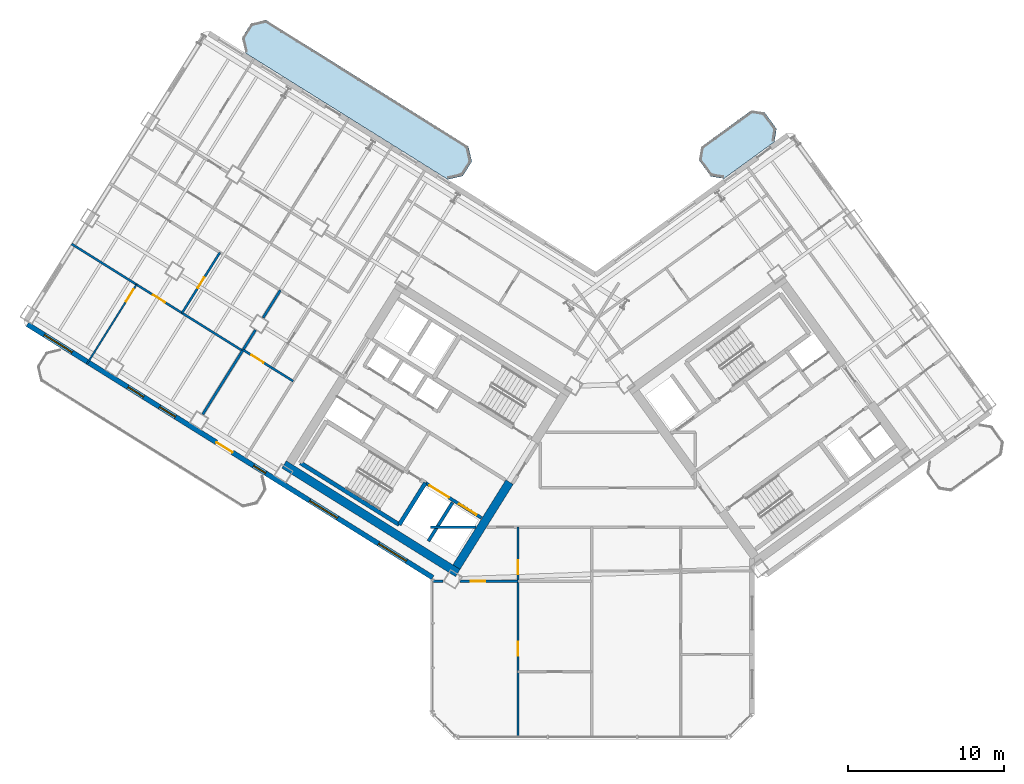
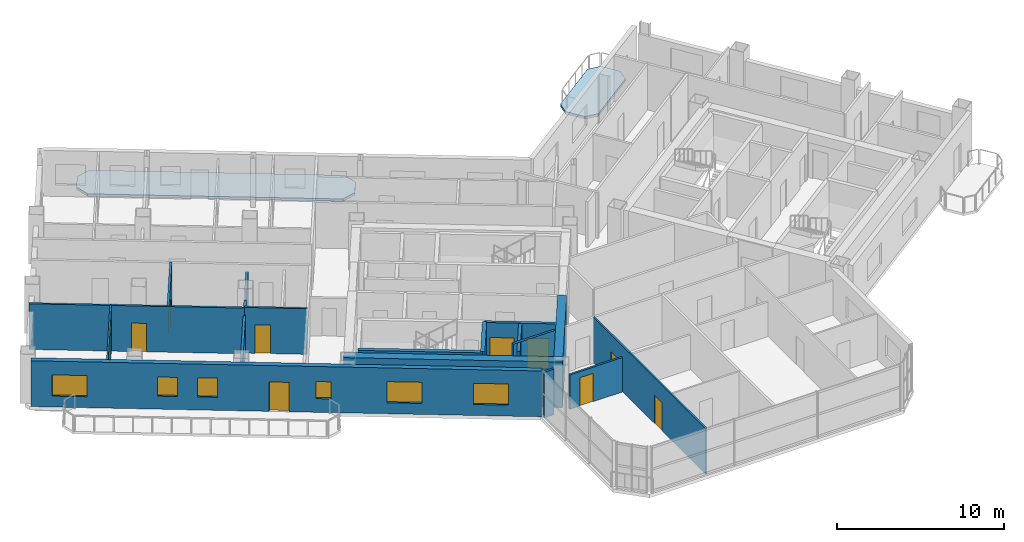
# One storey, part 11 of 20: 17 walls, 10 doors, 6 windows, 2 slabs, 16 openings.
"""IFC4 building model written with IfcOpenShell, lengths in metres."""

from ifc_helpers import new_model, si_unit, direction, frame, frame_2d, origin, place, context, subcontext, project, spatial, polyline, rectangle, outline, extrude, source, transform, mapped, material, layer, layer_set, type_object, element, fill, save


model = new_model("IFC4")

# Units and contexts
model_context = context("Model", 3, precision=1e-05, world=origin(), true_north=direction((0.0, 1.0)))
body_context = subcontext(model_context, "Body", "Model", "MODEL_VIEW")
ifc_project = project(units=[si_unit("LENGTHUNIT", "METRE"), si_unit("AREAUNIT", "SQUARE_METRE"), si_unit("VOLUMEUNIT", "CUBIC_METRE"), si_unit("PLANEANGLEUNIT", "RADIAN"), si_unit("MASSUNIT", "GRAM", prefix="KILO")], contexts=[model_context])

# Site, building, storey
site_placement = place(None, origin())
site = spatial("IfcSite", under=ifc_project, at=site_placement, CompositionType="ELEMENT")
building_placement = place(site_placement, origin())
building = spatial("IfcBuilding", under=site, at=building_placement, Name="Tlacorven Tower", CompositionType="ELEMENT")
storey_placement = place(building_placement, frame((0.0, 0.0, 116.10009765625)))
storey = spatial("IfcBuildingStorey", under=building, at=storey_placement, Name="L29", CompositionType="ELEMENT", Elevation=116.10009765625)

# Slabs
ifc_material_1 = material(Name="Precast concrete C45/55", Category="concrete")
ifc_layer_1 = layer(ifc_material_1, 0.179931640625)
ifc_layer_set_1 = layer_set([ifc_layer_1], Name="Precast concrete C45/55")
slab_type = type_object("IfcSlabType", Name="SL-BAL-180", PredefinedType="USERDEFINED", material=ifc_layer_set_1)
slab_1_placement = place(storey_placement, frame((0.0, 0.0, -0.18017578125)))
element("IfcSlab", 1, at=slab_1_placement, inside=storey, type_object=slab_type, Name="L29 West Wing Balcony Ribbon IN", ObjectType="BALCONY SLAB", PredefinedType="USERDEFINED", context=body_context, shape_type="SweptSolid", body=[
    extrude(outline(polyline([(34.0419921875, 39.835693359375), (21.06689453125, 47.943359375), (20.102294921875, 47.720703125), (19.52197265625, 46.7919921875), (19.744873046875, 45.827392578125), (32.719970703125, 37.7197265625), (33.6845703125, 37.9423828125), (34.2646484375, 38.87109375), (34.0419921875, 39.835693359375)])), origin(), (0.0, 0.0, 1.0), 0.18017578125),
])
slab_2_placement = place(storey_placement, frame((0.0, 0.0, -0.18017578125)))
element("IfcSlab", 2, at=slab_2_placement, inside=storey, type_object=slab_type, Name="L29 East Wing Balcony Ribbon IN", ObjectType="BALCONY SLAB", PredefinedType="USERDEFINED", context=body_context, shape_type="SweptSolid", body=[
    extrude(outline(polyline([(50.433837890625, 37.77880859375), (53.669921875, 40.1298828125), (53.802490234375, 40.968017578125), (53.04150390625, 42.015625), (52.203369140625, 42.1484375), (48.96728515625, 39.79736328125), (48.83447265625, 38.959228515625), (49.595703125, 37.91162109375), (50.433837890625, 37.77880859375)])), origin(), (0.0, 0.0, 1.0), 0.18017578125),
])

# Walls
ifc_material_2 = material(Name="Concrete C60/75", Category="concrete")
ifc_layer_2 = layer(ifc_material_2, 0.550048828125)
ifc_layer_set_2 = layer_set([ifc_layer_2], Name="Concrete C60/75")
wall_type_1 = type_object("IfcWallType", Name="WL-COR-550", PredefinedType="SHEAR", material=ifc_layer_set_2)
wall_1_placement = place(storey_placement, frame((33.3662109375, 12.4765625, 0.0), z_axis=(0.0, 0.0, 1.0), x_axis=(-0.848047359947, 0.529920442413, 0.0)))
element("IfcWall", 3, at=wall_1_placement, inside=storey, type_object=wall_type_1, Name="L29 W core shear wall S2", PredefinedType="SHEAR", context=body_context, shape_type="SweptSolid", body=[
    extrude(rectangle(XDim=13.139892578125, YDim=0.550048828125, at=frame_2d((6.56982421875, 0.0))), origin(), (0.0, 0.0, 1.0), 3.349853515625),
])
wall_2_placement = place(storey_placement, frame((36.683349609375, 18.30419921875, 0.0), z_axis=(0.0, 0.0, 1.0), x_axis=(-0.529896466841, -0.848062341122, 0.0)))
element("IfcWall", 4, at=wall_2_placement, inside=storey, type_object=wall_type_1, Name="L29 W core end wall E1.2", PredefinedType="SHEAR", context=body_context, shape_type="SweptSolid", body=[
    extrude(rectangle(XDim=6.4248046875, YDim=0.550048828125, at=frame_2d((3.21240234375, 0.0))), origin(), (0.0, 0.0, 1.0), 3.349853515625),
])
ifc_material_3 = material(Name="Gypsum plasterboard acoustic partition", Category="gypsum")
ifc_layer_3 = layer(ifc_material_3, 0.159912109375)
ifc_layer_set_3 = layer_set([ifc_layer_3], Name="Gypsum plasterboard acoustic partition")
wall_type_2 = type_object("IfcWallType", Name="WL-DEM-160", PredefinedType="PARTITIONING", material=ifc_layer_set_3)
wall_3_placement = place(storey_placement, frame((21.9833984375, 30.614501953125, 0.0), z_axis=(0.0, 0.0, 1.0), x_axis=(-0.529956894714, -0.848024580862, 0.0)))
element("IfcWall", 5, at=wall_3_placement, inside=storey, type_object=wall_type_2, Name="L29 WN Demising Wall 1", PredefinedType="PARTITIONING", context=body_context, shape_type="SweptSolid", body=[
    extrude(rectangle(XDim=2.087890625, YDim=0.159912109375, at=frame_2d((1.0439453125, 0.0))), origin(), (0.0, 0.0, 1.0), 2.77490234375),
])
wall_4_placement = place(storey_placement, frame((20.38720703125, 28.060302734375, 0.0), z_axis=(0.0, 0.0, 1.0), x_axis=(-0.529902564924, -0.848058530814, 0.0)))
element("IfcWall", 6, at=wall_4_placement, inside=storey, type_object=wall_type_2, Name="L29 WN Demising Wall 1", PredefinedType="PARTITIONING", context=body_context, shape_type="SweptSolid", body=[
    extrude(rectangle(XDim=6.3759765625, YDim=0.159912109375, at=frame_2d((3.18798828125, 0.0))), origin(), (0.0, 0.0, 1.0), 2.77490234375),
])
wall_5_placement = place(storey_placement, frame((31.60009765625, 15.419921875, 0.0), z_axis=(0.0, 0.0, 1.0), x_axis=(1.0, 0.0, 0.0)))
element("IfcWall", 7, at=wall_5_placement, inside=storey, type_object=wall_type_2, Name="L29 Knuckle Corridor South Wall", PredefinedType="PARTITIONING", context=body_context, shape_type="SweptSolid", body=[
    extrude(rectangle(XDim=2.925048828125, YDim=0.159912109375, at=frame_2d((1.46240234375, 0.0))), origin(), (0.0, 0.0, 1.0), 3.33984375),
])

# Wall, openings, door, windows
ifc_layer_4 = layer(ifc_material_1, 0.320068359375)
ifc_layer_set_4 = layer_set([ifc_layer_4], Name="Precast concrete C45/55")
wall_type_3 = type_object("IfcWallType", Name="WL-EXT-320", PredefinedType="STANDARD", material=ifc_layer_set_4)
wall_6_placement = place(storey_placement, frame((31.760009765625, 12.18310546875, 0.0), z_axis=(0.0, 0.0, 1.0), x_axis=(-0.848047074256, 0.529920899612, 0.0)))
wall_6 = element("IfcWall", 8, at=wall_6_placement, inside=storey, type_object=wall_type_3, Name="L29 Masonry-Frame Recessed Facade Wall 1", PredefinedType="STANDARD", context=body_context, shape_type="SweptSolid", body=[
    extrude(rectangle(XDim=30.652099609375, YDim=0.320068359375, at=frame_2d((15.326171875, 0.0))), origin(), (0.0, 0.0, 1.0), 3.349853515625),
])
opening_1_placement = place(wall_6_placement, frame((15.1533203125, 0.0, 0.0)))
opening_1 = element("IfcOpeningElement", 9, at=opening_1_placement, cuts=wall_6, Name="Opening D05", PredefinedType="OPENING", context=body_context, shape_type="SweptSolid", body=[
    extrude(rectangle(XDim=1.199951171875, YDim=2.14990234375, at=frame_2d((0.60009765625, 1.074951171875))), frame((0.0, 0.169921875, 0.0), z_axis=(0.0, -1.0, 0.0), x_axis=(1.0, 0.0, 0.0)), (0.0, 0.0, 1.0), 0.340087890625),
])
opening_2_placement = place(wall_6_placement, frame((2.002197265625, 0.0, 0.800048828125)))
opening_2 = element("IfcOpeningElement", 10, at=opening_2_placement, cuts=wall_6, Name="Opening WN04", PredefinedType="OPENING", context=body_context, shape_type="SweptSolid", body=[
    extrude(rectangle(XDim=2.10009765625, YDim=1.550048828125, at=frame_2d((1.050048828125, 0.77490234375))), frame((0.0, 0.169921875, 0.0), z_axis=(0.0, -1.0, 0.0), x_axis=(1.0, 0.0, 0.0)), (0.0, 0.0, 1.0), 0.340087890625),
])
opening_3_placement = place(wall_6_placement, frame((7.206298828125, 0.0, 0.800048828125)))
opening_3 = element("IfcOpeningElement", 11, at=opening_3_placement, cuts=wall_6, Name="Opening WN04", PredefinedType="OPENING", context=body_context, shape_type="SweptSolid", body=[
    extrude(rectangle(XDim=2.10009765625, YDim=1.550048828125, at=frame_2d((1.050048828125, 0.77490234375))), frame((0.0, 0.169921875, 0.0), z_axis=(0.0, -1.0, 0.0), x_axis=(1.0, 0.0, 0.0)), (0.0, 0.0, 1.0), 0.340087890625),
])
opening_4_placement = place(wall_6_placement, frame((12.648193359375, 0.0, 1.0)))
opening_4 = element("IfcOpeningElement", 12, at=opening_4_placement, cuts=wall_6, Name="Opening WN05", PredefinedType="OPENING", context=body_context, shape_type="SweptSolid", body=[
    extrude(rectangle(XDim=0.89990234375, YDim=1.25, at=frame_2d((0.449951171875, 0.625))), frame((0.0, 0.169921875, 0.0), z_axis=(0.0, -1.0, 0.0), x_axis=(1.0, 0.0, 0.0)), (0.0, 0.0, 1.0), 0.340087890625),
])
opening_5_placement = place(wall_6_placement, frame((19.458251953125, 0.0, 0.949951171875)))
opening_5 = element("IfcOpeningElement", 13, at=opening_5_placement, cuts=wall_6, Name="Opening WN03", PredefinedType="OPENING", context=body_context, shape_type="SweptSolid", body=[
    extrude(rectangle(XDim=1.199951171875, YDim=1.39990234375, at=frame_2d((0.60009765625, 0.699951171875))), frame((0.0, 0.169921875, 0.0), z_axis=(0.0, -1.0, 0.0), x_axis=(1.0, 0.0, 0.0)), (0.0, 0.0, 1.0), 0.340087890625),
])
opening_6_placement = place(wall_6_placement, frame((21.8583984375, 0.0, 0.949951171875)))
opening_6 = element("IfcOpeningElement", 14, at=opening_6_placement, cuts=wall_6, Name="Opening WN03", PredefinedType="OPENING", context=body_context, shape_type="SweptSolid", body=[
    extrude(rectangle(XDim=1.199951171875, YDim=1.39990234375, at=frame_2d((0.60009765625, 0.699951171875))), frame((0.0, 0.169921875, 0.0), z_axis=(0.0, -1.0, 0.0), x_axis=(1.0, 0.0, 0.0)), (0.0, 0.0, 1.0), 0.340087890625),
])
opening_7_placement = place(wall_6_placement, frame((27.265869140625, 0.0, 0.800048828125)))
opening_7 = element("IfcOpeningElement", 15, at=opening_7_placement, cuts=wall_6, Name="Opening WN04", PredefinedType="OPENING", context=body_context, shape_type="SweptSolid", body=[
    extrude(rectangle(XDim=2.10009765625, YDim=1.550048828125, at=frame_2d((1.050048828125, 0.77490234375))), frame((0.0, 0.169921875, 0.0), z_axis=(0.0, -1.0, 0.0), x_axis=(1.0, 0.0, 0.0)), (0.0, 0.0, 1.0), 0.340087890625),
])
ifc_material_4 = material(Name="Powder-coated aluminium and timber door", Category="wood")
door_type_1 = type_object("IfcDoorType", Name="DR-EXT-BALC-1200", OperationType="NOTDEFINED", PredefinedType="DOOR", material=ifc_material_4)
shared_shape_1 = source(origin(), body_context, "Body", "SweptSolid", [
    extrude(rectangle(XDim=1.199951171875, YDim=2.14990234375, at=frame_2d((0.60009765625, 1.074951171875))), frame((0.0, 0.02490234375, 0.0), z_axis=(0.0, -1.0, 0.0), x_axis=(1.0, 0.0, 0.0)), (0.0, 0.0, 1.0), 0.050048828125),
])
door_1_placement = place(opening_1_placement, origin())
door_1 = element("IfcDoor", 16, at=door_1_placement, inside=storey, type_object=door_type_1, Name="L29 Outdoor Access Door BAL-L29-W-OUT", OperationType="SINGLE_SWING_LEFT", OverallHeight=2.14990234375, OverallWidth=1.199951171875, PredefinedType="DOOR", context=body_context, shape_type="MappedRepresentation", body=[
    mapped(shared_shape_1, transform((0.0, 0.0, 0.0), scale=1.0)),
])
fill(opening_1, door_1)
ifc_material_5 = material(Name="Dark solar low-E double glazing in anodised aluminium frame", Category="aluminium")
window_type_1 = type_object("IfcWindowType", Name="WN-APT-2100X1750", PartitioningType="SINGLE_PANEL", PredefinedType="WINDOW", material=ifc_material_5)
shared_shape_2 = source(origin(), body_context, "Body", "SweptSolid", [
    extrude(rectangle(XDim=2.10009765625, YDim=1.550048828125, at=frame_2d((1.050048828125, 0.77490234375))), frame((0.0, 0.030029296875, 0.0), z_axis=(0.0, -1.0, 0.0), x_axis=(1.0, 0.0, 0.0)), (0.0, 0.0, 1.0), 0.06005859375),
])
window_1_placement = place(opening_2_placement, origin())
window_1 = element("IfcWindow", 17, at=window_1_placement, inside=storey, type_object=window_type_1, Name="L29 Recessed Masonry-Frame Window L29-01.1", OverallHeight=1.550048828125, OverallWidth=2.10009765625, PartitioningType="SINGLE_PANEL", PredefinedType="WINDOW", context=body_context, shape_type="MappedRepresentation", body=[
    mapped(shared_shape_2, transform((0.0, 0.0, 0.0), scale=1.0)),
])
fill(opening_2, window_1)
window_2_placement = place(opening_3_placement, origin())
window_2 = element("IfcWindow", 18, at=window_2_placement, inside=storey, type_object=window_type_1, Name="L29 Recessed Masonry-Frame Window L29-01.2", OverallHeight=1.550048828125, OverallWidth=2.10009765625, PartitioningType="SINGLE_PANEL", PredefinedType="WINDOW", context=body_context, shape_type="MappedRepresentation", body=[
    mapped(shared_shape_2, transform((0.0, 0.0, 0.0), scale=1.0)),
])
fill(opening_3, window_2)
window_3_placement = place(opening_7_placement, origin())
window_3 = element("IfcWindow", 19, at=window_3_placement, inside=storey, type_object=window_type_1, Name="L29 Recessed Masonry-Frame Window L29-01.6", OverallHeight=1.550048828125, OverallWidth=2.10009765625, PartitioningType="SINGLE_PANEL", PredefinedType="WINDOW", context=body_context, shape_type="MappedRepresentation", body=[
    mapped(shared_shape_2, transform((0.0, 0.0, 0.0), scale=1.0)),
])
fill(opening_7, window_3)
window_type_2 = type_object("IfcWindowType", Name="WN-APT-1200X1500", PartitioningType="SINGLE_PANEL", PredefinedType="WINDOW", material=ifc_material_5)
shared_shape_3 = source(origin(), body_context, "Body", "SweptSolid", [
    extrude(rectangle(XDim=1.199951171875, YDim=1.39990234375, at=frame_2d((0.60009765625, 0.699951171875))), frame((0.0, 0.030029296875, 0.0), z_axis=(0.0, -1.0, 0.0), x_axis=(1.0, 0.0, 0.0)), (0.0, 0.0, 1.0), 0.06005859375),
])
window_4_placement = place(opening_5_placement, origin())
window_4 = element("IfcWindow", 20, at=window_4_placement, inside=storey, type_object=window_type_2, Name="L29 Recessed Masonry-Frame Window L29-01.4", OverallHeight=1.39990234375, OverallWidth=1.199951171875, PartitioningType="SINGLE_PANEL", PredefinedType="WINDOW", context=body_context, shape_type="MappedRepresentation", body=[
    mapped(shared_shape_3, transform((0.0, 0.0, 0.0), scale=1.0)),
])
fill(opening_5, window_4)
window_5_placement = place(opening_6_placement, origin())
window_5 = element("IfcWindow", 21, at=window_5_placement, inside=storey, type_object=window_type_2, Name="L29 Recessed Masonry-Frame Window L29-01.5", OverallHeight=1.39990234375, OverallWidth=1.199951171875, PartitioningType="SINGLE_PANEL", PredefinedType="WINDOW", context=body_context, shape_type="MappedRepresentation", body=[
    mapped(shared_shape_3, transform((0.0, 0.0, 0.0), scale=1.0)),
])
fill(opening_6, window_5)
window_type_3 = type_object("IfcWindowType", Name="WN-APT-0900X1350", PartitioningType="SINGLE_PANEL", PredefinedType="WINDOW", material=ifc_material_5)
shared_shape_4 = source(origin(), body_context, "Body", "SweptSolid", [
    extrude(rectangle(XDim=0.89990234375, YDim=1.25, at=frame_2d((0.449951171875, 0.625))), frame((0.0, 0.030029296875, 0.0), z_axis=(0.0, -1.0, 0.0), x_axis=(1.0, 0.0, 0.0)), (0.0, 0.0, 1.0), 0.06005859375),
])
window_6_placement = place(opening_4_placement, origin())
window_6 = element("IfcWindow", 22, at=window_6_placement, inside=storey, type_object=window_type_3, Name="L29 Recessed Masonry-Frame Window L29-01.3", OverallHeight=1.25, OverallWidth=0.89990234375, PartitioningType="SINGLE_PANEL", PredefinedType="WINDOW", context=body_context, shape_type="MappedRepresentation", body=[
    mapped(shared_shape_4, transform((0.0, 0.0, 0.0), scale=1.0)),
])
fill(opening_4, window_6)

# Wall, opening, door
ifc_material_6 = material(Name="Gypsum plasterboard partition", Category="gypsum")
ifc_layer_5 = layer(ifc_material_6, 0.110107421875)
ifc_layer_set_5 = layer_set([ifc_layer_5], Name="Gypsum plasterboard partition")
wall_type_4 = type_object("IfcWallType", Name="WL-INT-110", PredefinedType="PARTITIONING", material=ifc_layer_set_5)
wall_7_placement = place(storey_placement, frame((12.763427734375, 30.97509765625, 0.0), z_axis=(0.0, 0.0, 1.0), x_axis=(-0.529947646893, -0.848030360042, 0.0)))
wall_7 = element("IfcWall", 23, at=wall_7_placement, inside=storey, type_object=wall_type_4, Name="L29 partition 55", PredefinedType="PARTITIONING", context=body_context, shape_type="SweptSolid", body=[
    extrude(rectangle(XDim=5.98974609375, YDim=0.110107421875, at=frame_2d((2.994873046875, 0.0))), origin(), (0.0, 0.0, 1.0), 3.33984375),
])
opening_8_placement = place(wall_7_placement, frame((0.35009765625, 0.0, 0.0)))
opening_8 = element("IfcOpeningElement", 24, at=opening_8_placement, cuts=wall_7, Name="Opening D12", PredefinedType="OPENING", context=body_context, shape_type="SweptSolid", body=[
    extrude(rectangle(XDim=0.919921875, YDim=2.080078125, at=frame_2d((0.4599609375, 1.0400390625))), frame((0.0, 0.06494140625, 0.0), z_axis=(0.0, -1.0, 0.0), x_axis=(1.0, 0.0, 0.0)), (0.0, 0.0, 1.0), 0.130126953125),
])
door_type_2 = type_object("IfcDoorType", Name="DR-INT-ROOM-0920", OperationType="NOTDEFINED", PredefinedType="DOOR", material=ifc_material_4)
shared_shape_5 = source(origin(), body_context, "Body", "SweptSolid", [
    extrude(rectangle(XDim=0.919921875, YDim=2.080078125, at=frame_2d((0.4599609375, 1.0400390625))), frame((0.0, 0.02490234375, 0.0), z_axis=(0.0, -1.0, 0.0), x_axis=(1.0, 0.0, 0.0)), (0.0, 0.0, 1.0), 0.050048828125),
])
door_2_placement = place(opening_8_placement, origin())
door_2 = element("IfcDoor", 25, at=door_2_placement, inside=storey, type_object=door_type_2, Name="L29 door 025", OperationType="SINGLE_SWING_LEFT", OverallHeight=2.080078125, OverallWidth=0.919921875, PredefinedType="DOOR", context=body_context, shape_type="MappedRepresentation", body=[
    mapped(shared_shape_5, transform((0.0, 0.0, 0.0), scale=1.0)),
])
fill(opening_8, door_2)

# Wall, openings, doors
wall_8_placement = place(storey_placement, frame((37.221923828125, 1.9599609375, 0.0), z_axis=(0.0, 0.0, 1.0), x_axis=(0.0, 1.0, 0.0)))
wall_8 = element("IfcWall", 26, at=wall_8_placement, inside=storey, type_object=wall_type_4, Name="L29 partition 78", PredefinedType="PARTITIONING", context=body_context, shape_type="SweptSolid", body=[
    extrude(rectangle(XDim=13.4599609375, YDim=0.110107421875, at=frame_2d((6.72998046875, 0.0))), origin(), (0.0, 0.0, 1.0), 3.33984375),
])
opening_9_placement = place(wall_8_placement, frame((5.199951171875, 0.0, 0.0)))
opening_9 = element("IfcOpeningElement", 27, at=opening_9_placement, cuts=wall_8, Name="Opening D12", PredefinedType="OPENING", context=body_context, shape_type="SweptSolid", body=[
    extrude(rectangle(XDim=0.919921875, YDim=2.080078125, at=frame_2d((0.4599609375, 1.0400390625))), frame((0.0, 0.06494140625, 0.0), z_axis=(0.0, -1.0, 0.0), x_axis=(1.0, 0.0, 0.0)), (0.0, 0.0, 1.0), 0.130126953125),
])
opening_10_placement = place(wall_8_placement, frame((10.449951171875, 0.0, 0.0)))
opening_10 = element("IfcOpeningElement", 28, at=opening_10_placement, cuts=wall_8, Name="Opening D13", PredefinedType="OPENING", context=body_context, shape_type="SweptSolid", body=[
    extrude(rectangle(XDim=0.8798828125, YDim=2.080078125, at=frame_2d((0.43994140625, 1.0400390625))), frame((0.0, 0.06494140625, 0.0), z_axis=(0.0, -1.0, 0.0), x_axis=(1.0, 0.0, 0.0)), (0.0, 0.0, 1.0), 0.130126953125),
])
door_type_3 = type_object("IfcDoorType", Name="DR-INT-WET-0880", OperationType="NOTDEFINED", PredefinedType="DOOR", material=ifc_material_4)
shared_shape_6 = source(origin(), body_context, "Body", "SweptSolid", [
    extrude(rectangle(XDim=0.8798828125, YDim=2.080078125, at=frame_2d((0.43994140625, 1.0400390625))), frame((0.0, 0.02490234375, 0.0), z_axis=(0.0, -1.0, 0.0), x_axis=(1.0, 0.0, 0.0)), (0.0, 0.0, 1.0), 0.050048828125),
])
door_3_placement = place(opening_10_placement, origin())
door_3 = element("IfcDoor", 29, at=door_3_placement, inside=storey, type_object=door_type_3, Name="L29 door 050", OperationType="SINGLE_SWING_RIGHT", OverallHeight=2.080078125, OverallWidth=0.8798828125, PredefinedType="DOOR", context=body_context, shape_type="MappedRepresentation", body=[
    mapped(shared_shape_6, transform((0.0, 0.0, 0.0), scale=1.0)),
])
fill(opening_10, door_3)
door_4_placement = place(opening_9_placement, origin())
door_4 = element("IfcDoor", 30, at=door_4_placement, inside=storey, type_object=door_type_2, Name="L29 door 046", OperationType="SINGLE_SWING_RIGHT", OverallHeight=2.080078125, OverallWidth=0.919921875, PredefinedType="DOOR", context=body_context, shape_type="MappedRepresentation", body=[
    mapped(shared_shape_5, transform((0.0, 0.0, 0.0), scale=1.0)),
])
fill(opening_9, door_4)

# Wall, opening, door
ifc_material_7 = material(Name="Moisture-resistant gypsum plumbing wall", Category="gypsum")
ifc_layer_6 = layer(ifc_material_7, 0.139892578125)
ifc_layer_set_6 = layer_set([ifc_layer_6], Name="Moisture-resistant gypsum plumbing wall")
wall_type_5 = type_object("IfcWallType", Name="WL-PLM-140", PredefinedType="PLUMBINGWALL", material=ifc_layer_set_6)
wall_9_placement = place(storey_placement, frame((22.807373046875, 24.781494140625, 0.0), z_axis=(0.0, 0.0, 1.0), x_axis=(-0.84803087207, 0.529946827537, 0.0)))
wall_9 = element("IfcWall", 31, at=wall_9_placement, inside=storey, type_object=wall_type_5, Name="L29 partition 51", PredefinedType="PLUMBINGWALL", context=body_context, shape_type="SweptSolid", body=[
    extrude(rectangle(XDim=3.7900390625, YDim=0.139892578125, at=frame_2d((1.89501953125, 0.0))), origin(), (0.0, 0.0, 1.0), 3.33984375),
])
opening_11_placement = place(wall_9_placement, frame((2.22998046875, 0.0, 0.0)))
opening_11 = element("IfcOpeningElement", 32, at=opening_11_placement, cuts=wall_9, Name="Opening D12", PredefinedType="OPENING", context=body_context, shape_type="SweptSolid", body=[
    extrude(rectangle(XDim=0.919921875, YDim=2.080078125, at=frame_2d((0.4599609375, 1.0400390625))), frame((0.0, 0.080078125, 0.0), z_axis=(0.0, -1.0, 0.0), x_axis=(1.0, 0.0, 0.0)), (0.0, 0.0, 1.0), 0.159912109375),
])
door_5_placement = place(opening_11_placement, origin())
door_5 = element("IfcDoor", 33, at=door_5_placement, inside=storey, type_object=door_type_2, Name="L29 door 023", OperationType="SINGLE_SWING_LEFT", OverallHeight=2.080078125, OverallWidth=0.919921875, PredefinedType="DOOR", context=body_context, shape_type="MappedRepresentation", body=[
    mapped(shared_shape_5, transform((0.0, 0.0, 0.0), scale=1.0)),
])
fill(opening_11, door_5)

wall_10_placement = place(storey_placement, frame((19.556396484375, 26.73046875, 0.0), z_axis=(0.0, 0.0, 1.0), x_axis=(-0.848043949058, 0.52992590092, 0.0)))
wall_10 = element("IfcWall", 34, at=wall_10_placement, inside=storey, type_object=wall_type_5, Name="L29 partition 53", PredefinedType="PLUMBINGWALL", context=body_context, shape_type="SweptSolid", body=[
    extrude(rectangle(XDim=12.920166015625, YDim=0.139892578125, at=frame_2d((6.4599609375, 0.0))), origin(), (0.0, 0.0, 1.0), 3.33984375),
])
opening_12_placement = place(wall_10_placement, frame((5.84912109375, 0.0, 0.0)))
opening_12 = element("IfcOpeningElement", 35, at=opening_12_placement, cuts=wall_10, Name="Opening D12", PredefinedType="OPENING", context=body_context, shape_type="SweptSolid", body=[
    extrude(rectangle(XDim=0.919921875, YDim=2.080078125, at=frame_2d((0.4599609375, 1.0400390625))), frame((0.0, 0.080078125, 0.0), z_axis=(0.0, -1.0, 0.0), x_axis=(1.0, 0.0, 0.0)), (0.0, 0.0, 1.0), 0.159912109375),
])
door_6_placement = place(opening_12_placement, origin())
door_6 = element("IfcDoor", 36, at=door_6_placement, inside=storey, type_object=door_type_2, Name="L29 door 027", OperationType="SINGLE_SWING_LEFT", OverallHeight=2.080078125, OverallWidth=0.919921875, PredefinedType="DOOR", context=body_context, shape_type="MappedRepresentation", body=[
    mapped(shared_shape_5, transform((0.0, 0.0, 0.0), scale=1.0)),
])
fill(opening_12, door_6)

wall_11_placement = place(storey_placement, frame((18.109375, 33.035400390625, 0.0), z_axis=(0.0, 0.0, 1.0), x_axis=(-0.529893526057, -0.848064178611, 0.0)))
wall_11 = element("IfcWall", 37, at=wall_11_placement, inside=storey, type_object=wall_type_5, Name="L29 partition 54", PredefinedType="PLUMBINGWALL", context=body_context, shape_type="SweptSolid", body=[
    extrude(rectangle(XDim=4.580078125, YDim=0.139892578125, at=frame_2d((2.2900390625, 0.0))), origin(), (0.0, 0.0, 1.0), 3.33984375),
])
opening_13_placement = place(wall_11_placement, frame((1.89990234375, 0.0, 0.0)))
opening_13 = element("IfcOpeningElement", 38, at=opening_13_placement, cuts=wall_11, Name="Opening D22", PredefinedType="OPENING", context=body_context, shape_type="SweptSolid", body=[
    extrude(rectangle(XDim=0.780029296875, YDim=2.050048828125, at=frame_2d((0.39013671875, 1.02490234375))), frame((0.0, 0.080078125, 0.0), z_axis=(0.0, -1.0, 0.0), x_axis=(1.0, 0.0, 0.0)), (0.0, 0.0, 1.0), 0.159912109375),
])
door_type_4 = type_object("IfcDoorType", Name="DR-INT-WET-0780", OperationType="NOTDEFINED", PredefinedType="DOOR", material=ifc_material_4)
shared_shape_7 = source(origin(), body_context, "Body", "SweptSolid", [
    extrude(rectangle(XDim=0.780029296875, YDim=2.050048828125, at=frame_2d((0.39013671875, 1.02490234375))), frame((0.0, 0.02490234375, 0.0), z_axis=(0.0, -1.0, 0.0), x_axis=(1.0, 0.0, 0.0)), (0.0, 0.0, 1.0), 0.050048828125),
])
door_7_placement = place(opening_13_placement, origin())
door_7 = element("IfcDoor", 39, at=door_7_placement, inside=storey, type_object=door_type_4, Name="L29 door 028", OperationType="SINGLE_SWING_RIGHT", OverallHeight=2.050048828125, OverallWidth=0.780029296875, PredefinedType="DOOR", context=body_context, shape_type="MappedRepresentation", body=[
    mapped(shared_shape_7, transform((0.0, 0.0, 0.0), scale=1.0)),
])
fill(opening_13, door_7)

# Wall
wall_12_placement = place(storey_placement, frame((31.739990234375, 11.949951171875, 0.0), z_axis=(0.0, 0.0, 1.0), x_axis=(1.0, 0.0, 0.0)))
element("IfcWall", 40, at=wall_12_placement, inside=storey, type_object=wall_type_5, Name="L29 partition 79", PredefinedType="PLUMBINGWALL", context=body_context, shape_type="SweptSolid", body=[
    extrude(rectangle(XDim=0.67578125, YDim=0.139892578125, at=frame_2d((0.337890625, 0.0))), origin(), (0.0, 0.0, 1.0), 3.33984375),
])

# Wall, opening, door
wall_13_placement = place(storey_placement, frame((33.50537109375, 11.949951171875, 0.0), z_axis=(0.0, 0.0, 1.0), x_axis=(1.0, 0.0, 0.0)))
wall_13 = element("IfcWall", 41, at=wall_13_placement, inside=storey, type_object=wall_type_5, Name="L29 partition 79", PredefinedType="PLUMBINGWALL", context=body_context, shape_type="SweptSolid", body=[
    extrude(rectangle(XDim=3.716552734375, YDim=0.139892578125, at=frame_2d((1.8583984375, 0.0))), origin(), (0.0, 0.0, 1.0), 2.52490234375),
])
opening_14_placement = place(wall_13_placement, frame((0.695556640625, 0.0, 0.0)))
opening_14 = element("IfcOpeningElement", 42, at=opening_14_placement, cuts=wall_13, Name="Opening D12", PredefinedType="OPENING", context=body_context, shape_type="SweptSolid", body=[
    extrude(rectangle(XDim=0.919921875, YDim=2.080078125, at=frame_2d((0.4599609375, 1.0400390625))), frame((0.0, 0.080078125, 0.0), z_axis=(0.0, -1.0, 0.0), x_axis=(1.0, 0.0, 0.0)), (0.0, 0.0, 1.0), 0.159912109375),
])
door_8_placement = place(opening_14_placement, frame((0.919921875, 0.0, 0.0), z_axis=(0.0, 0.0, 1.0), x_axis=(-1.0, 0.0, 0.0)))
door_8 = element("IfcDoor", 43, at=door_8_placement, inside=storey, type_object=door_type_2, Name="L29 door 049", OperationType="SINGLE_SWING_RIGHT", OverallHeight=2.080078125, OverallWidth=0.919921875, PredefinedType="DOOR", context=body_context, shape_type="MappedRepresentation", body=[
    mapped(shared_shape_5, transform((0.0, 0.0, 0.0), scale=1.0)),
])
fill(opening_14, door_8)

# Wall, openings, doors
ifc_material_8 = material(Name="Concrete C40/50", Category="concrete")
ifc_layer_7 = layer(ifc_material_8, 0.199951171875)
ifc_layer_set_7 = layer_set([ifc_layer_7], Name="Concrete C40/50")
wall_type_6 = type_object("IfcWallType", Name="WL-SHF-200", PredefinedType="STANDARD", material=ifc_layer_set_7)
wall_14_placement = place(storey_placement, frame((34.890625, 16.0048828125, 0.0), z_axis=(0.0, 0.0, 1.0), x_axis=(-0.848062873452, 0.529895614884, 0.0)))
wall_14 = element("IfcWall", 44, at=wall_14_placement, inside=storey, type_object=wall_type_6, Name="L29 Core W Firefighting Lift Shaft Front Wall", PredefinedType="STANDARD", context=body_context, shape_type="SweptSolid", body=[
    extrude(rectangle(XDim=4.248046875, YDim=0.199951171875, at=frame_2d((2.1240234375, 0.0))), origin(), (0.0, 0.0, 1.0), 3.33984375),
])
opening_15_placement = place(wall_14_placement, frame((0.39794921875, 0.0, 0.0)))
opening_15 = element("IfcOpeningElement", 45, at=opening_15_placement, cuts=wall_14, Name="Opening LD03", PredefinedType="OPENING", context=body_context, shape_type="SweptSolid", body=[
    extrude(rectangle(XDim=1.300048828125, YDim=2.199951171875, at=frame_2d((0.64990234375, 1.10009765625))), frame((0.0, 0.10986328125, 0.0), z_axis=(0.0, -1.0, 0.0), x_axis=(1.0, 0.0, 0.0)), (0.0, 0.0, 1.0), 0.219970703125),
])
opening_16_placement = place(wall_14_placement, frame((2.472900390625, 0.0, 0.0)))
opening_16 = element("IfcOpeningElement", 46, at=opening_16_placement, cuts=wall_14, Name="Opening LD04", PredefinedType="OPENING", context=body_context, shape_type="SweptSolid", body=[
    extrude(rectangle(XDim=1.449951171875, YDim=2.25, at=frame_2d((0.72509765625, 1.125))), frame((0.0, 0.10986328125, 0.0), z_axis=(0.0, -1.0, 0.0), x_axis=(1.0, 0.0, 0.0)), (0.0, 0.0, 1.0), 0.219970703125),
])
ifc_material_9 = material(Name="Fire-rated steel door assembly", Category="steel")
door_type_5 = type_object("IfcDoorType", Name="DR-LFT-SLID-1300", OperationType="DOUBLE_DOOR_SLIDING", PredefinedType="DOOR", material=ifc_material_9)
shared_shape_8 = source(origin(), body_context, "Body", "SweptSolid", [
    extrude(rectangle(XDim=1.300048828125, YDim=2.199951171875, at=frame_2d((0.64990234375, 1.10009765625))), frame((0.0, 0.02490234375, 0.0), z_axis=(0.0, -1.0, 0.0), x_axis=(1.0, 0.0, 0.0)), (0.0, 0.0, 1.0), 0.050048828125),
])
door_9_placement = place(opening_15_placement, origin())
door_9 = element("IfcDoor", 47, at=door_9_placement, inside=storey, type_object=door_type_5, Name="L29 Lift FFL-W1 Sliding Landing Door", OperationType="DOUBLE_DOOR_SLIDING", OverallHeight=2.199951171875, OverallWidth=1.300048828125, PredefinedType="DOOR", context=body_context, shape_type="MappedRepresentation", body=[
    mapped(shared_shape_8, transform((0.0, 0.0, 0.0), scale=1.0)),
])
fill(opening_15, door_9)
door_type_6 = type_object("IfcDoorType", Name="DR-LFT-SLID-1450", OperationType="DOUBLE_DOOR_SLIDING", PredefinedType="DOOR", material=ifc_material_9)
shared_shape_9 = source(origin(), body_context, "Body", "SweptSolid", [
    extrude(rectangle(XDim=1.449951171875, YDim=2.25, at=frame_2d((0.72509765625, 1.125))), frame((0.0, 0.02490234375, 0.0), z_axis=(0.0, -1.0, 0.0), x_axis=(1.0, 0.0, 0.0)), (0.0, 0.0, 1.0), 0.050048828125),
])
door_10_placement = place(opening_16_placement, origin())
door_10 = element("IfcDoor", 48, at=door_10_placement, inside=storey, type_object=door_type_6, Name="L29 Lift SVL-W1 Sliding Landing Door", OperationType="DOUBLE_DOOR_SLIDING", OverallHeight=2.25, OverallWidth=1.449951171875, PredefinedType="DOOR", context=body_context, shape_type="MappedRepresentation", body=[
    mapped(shared_shape_9, transform((0.0, 0.0, 0.0), scale=1.0)),
])
fill(opening_16, door_10)

# Walls
wall_15_placement = place(storey_placement, frame((33.02880859375, 17.003173828125, 0.0), z_axis=(0.0, 0.0, 1.0), x_axis=(-0.529916267533, -0.848049968695, 0.0)))
element("IfcWall", 49, at=wall_15_placement, inside=storey, type_object=wall_type_6, Name="L29 partition 14", PredefinedType="STANDARD", context=body_context, shape_type="SweptSolid", body=[
    extrude(rectangle(XDim=2.919921875, YDim=0.199951171875, at=frame_2d((1.4599609375, 0.0))), origin(), (0.0, 0.0, 1.0), 3.33984375),
])
ifc_material_10 = material(Name="Concrete C50/60", Category="concrete")
ifc_layer_8 = layer(ifc_material_10, 0.260009765625)
ifc_layer_set_8 = layer_set([ifc_layer_8], Name="Concrete C50/60")
wall_type_7 = type_object("IfcWallType", Name="WL-STW-260", PredefinedType="SHEAR", material=ifc_layer_set_8)
wall_16_placement = place(storey_placement, frame((29.60498046875, 15.581298828125, 0.0), z_axis=(0.0, 0.0, 1.0), x_axis=(-0.848036911448, 0.529937163087, 0.0)))
element("IfcWall", 50, at=wall_16_placement, inside=storey, type_object=wall_type_7, Name="L29 Stair W1 Far Shear Wall", PredefinedType="SHEAR", context=body_context, shape_type="SweptSolid", body=[
    extrude(rectangle(XDim=7.4599609375, YDim=0.260009765625, at=frame_2d((3.72998046875, 0.0))), origin(), (0.0, 0.0, 1.0), 3.349853515625),
])
wall_17_placement = place(storey_placement, frame((31.2880859375, 18.255859375, 0.0), z_axis=(0.0, 0.0, 1.0), x_axis=(-0.529943379326, -0.848033026897, 0.0)))
element("IfcWall", 51, at=wall_17_placement, inside=storey, type_object=wall_type_7, Name="L29 Stair W1 West Shear Wall", PredefinedType="SHEAR", context=body_context, shape_type="SweptSolid", body=[
    extrude(rectangle(XDim=3.159912109375, YDim=0.260009765625, at=frame_2d((1.580078125, 0.0))), origin(), (0.0, 0.0, 1.0), 3.349853515625),
])

save(model, "model.ifc")
